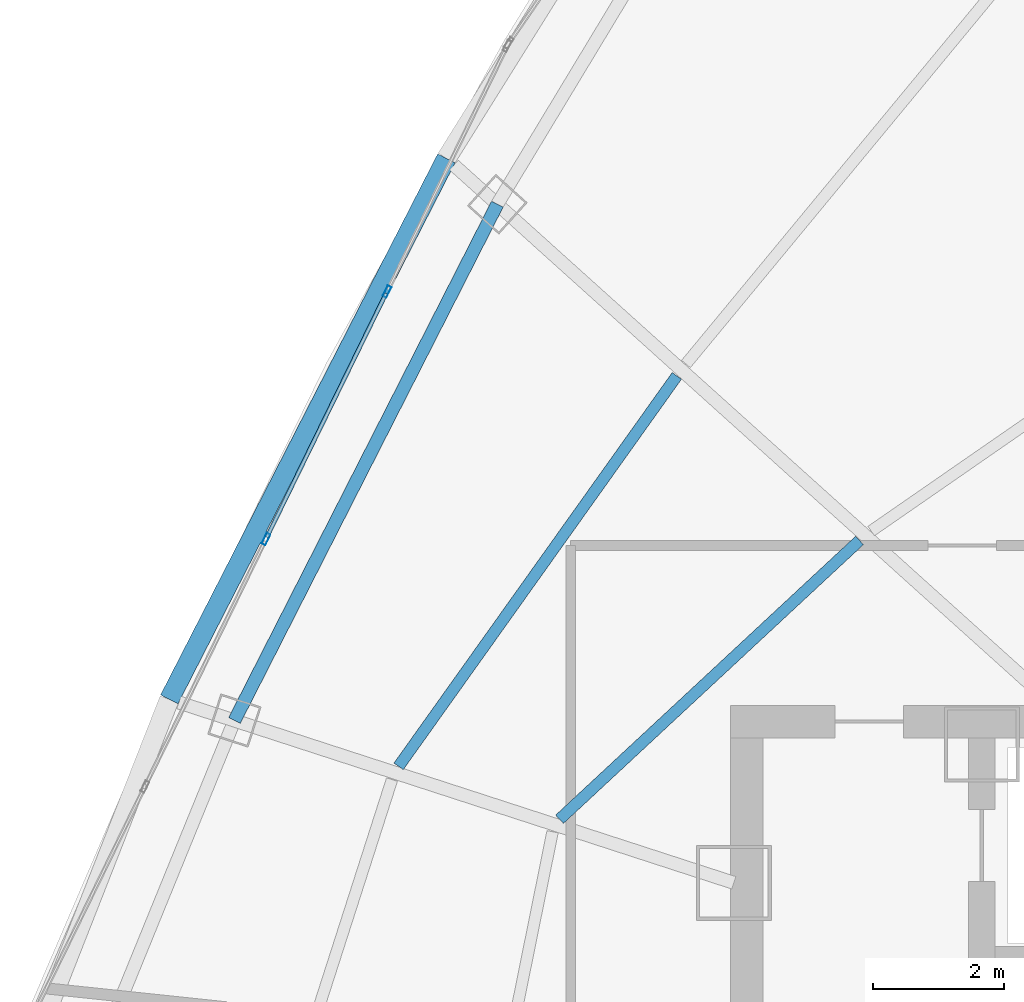
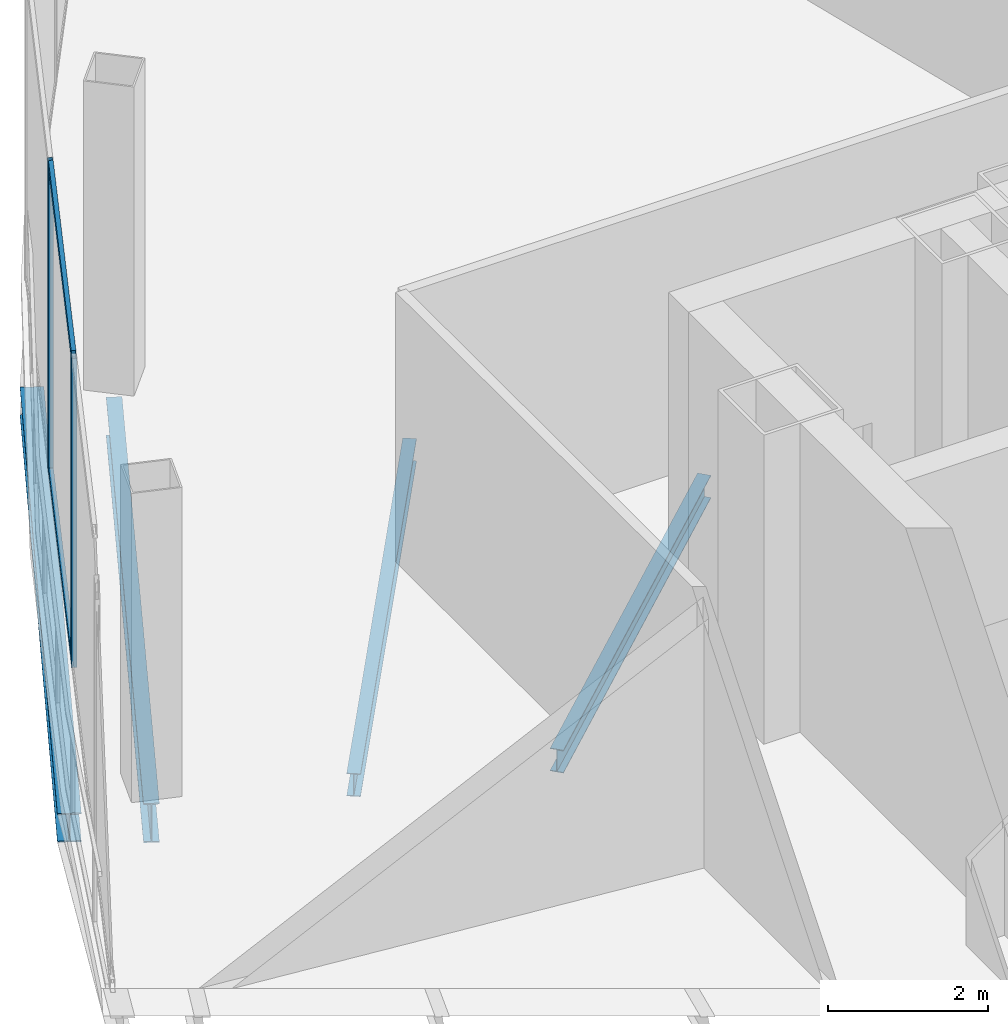
# One storey, part 10 of 32: 4 beams, 4 members, 1 element without a shape of its own.
"""IFC4 building model written with IfcOpenShell, lengths in metres."""

from ifc_helpers import new_model, si_unit, direction, frame, origin, origin_2d, place, context, subcontext, project, spatial, hollow_rectangle, i_section, extrude, source, transform, mapped, material, layer, layer_set, material_profile, profile_set, type_object, element, aggregate, save


model = new_model("IFC4")

# Units and contexts
model_context = context("Model", 3, precision=1e-05, world=origin(), true_north=direction((0.0, 1.0)))
body_context = subcontext(model_context, "Body", "Model", "MODEL_VIEW")
ifc_project = project(units=[si_unit("LENGTHUNIT", "METRE"), si_unit("AREAUNIT", "SQUARE_METRE"), si_unit("VOLUMEUNIT", "CUBIC_METRE"), si_unit("PLANEANGLEUNIT", "RADIAN"), si_unit("MASSUNIT", "GRAM", prefix="KILO"), si_unit("THERMODYNAMICTEMPERATUREUNIT", "KELVIN"), si_unit("POWERUNIT", "WATT")], contexts=[model_context])

# Site, building, storey
site_placement = place(None, origin())
site = spatial("IfcSite", under=ifc_project, at=site_placement, CompositionType="ELEMENT")
building_placement = place(site_placement, origin())
building = spatial("IfcBuilding", under=site, at=building_placement, Name="Yunzhuo Pagoda Commons", CompositionType="ELEMENT")
storey_placement = place(building_placement, frame((0.0, 0.0, 396.760009765625)))
storey = spatial("IfcBuildingStorey", under=building, at=storey_placement, Name="L98", CompositionType="ELEMENT", Elevation=396.760009765625)

# Beams
ifc_material_1 = material(Name="Structural steel Q355B", Category="steel")
ifc_material_profile_1 = material_profile(ifc_material_1, i_section(OverallWidth=0.199951171875, OverallDepth=0.60009765625, WebThickness=0.010986328125, FlangeThickness=0.01708984375, at=origin_2d()), Name="Structural steel Q355B")
ifc_profile_set_1 = profile_set([ifc_material_profile_1], Name="Structural steel Q355B")
beam_type_1 = type_object("IfcBeamType", Name="B-RG3 Beam HN 600x200x11x17", PredefinedType="BEAM", material=ifc_profile_set_1)
shared_shape_1 = source(origin(), body_context, "Body", "SweptSolid", [
    extrude(i_section(OverallWidth=0.199951171875, OverallDepth=0.60009765625, WebThickness=0.010986328125, FlangeThickness=0.01708984375, at=origin_2d()), origin(), (0.0, 0.0, 1.0), 8.87939453125),
])
beam_1_placement = place(storey_placement, frame((31.975341796875, 48.128662109375, -0.580078125), z_axis=(-0.453723535687, -0.891142498798, 0.0), x_axis=(0.891142498798, -0.453723535687, 0.0)))
element("IfcBeam", 1, at=beam_1_placement, inside=storey, type_object=beam_type_1, Name="L98 column-ring beam 10", PredefinedType="BEAM", context=body_context, shape_type="MappedRepresentation", body=[
    mapped(shared_shape_1, transform((0.0, 0.0, 0.0), scale=1.0)),
])
ifc_material_profile_2 = material_profile(ifc_material_1, i_section(OverallWidth=0.175048828125, OverallDepth=0.35009765625, WebThickness=0.007080078125, FlangeThickness=0.010986328125, at=origin_2d()), Name="Structural steel Q355B")
ifc_profile_set_2 = profile_set([ifc_material_profile_2], Name="Structural steel Q355B")
beam_type_2 = type_object("IfcBeamType", Name="B-JS2 Joist HN 350x175x7x11", PredefinedType="JOIST", material=ifc_profile_set_2)
shared_shape_2 = source(origin(), body_context, "Body", "SweptSolid", [
    extrude(i_section(OverallWidth=0.175048828125, OverallDepth=0.35009765625, WebThickness=0.007080078125, FlangeThickness=0.010986328125, at=origin_2d()), origin(), (0.0, 0.0, 1.0), 6.277099609375),
])
beam_2_placement = place(storey_placement, frame((37.526611328125, 42.97607421875, -0.455078125), z_axis=(-0.73244154109, -0.68082992655, 0.0), x_axis=(0.68082992655, -0.73244154109, 0.0)))
element("IfcBeam", 2, at=beam_2_placement, inside=storey, type_object=beam_type_2, Name="L98 composite ring joist 1.10", PredefinedType="JOIST", context=body_context, shape_type="MappedRepresentation", body=[
    mapped(shared_shape_2, transform((0.0, 0.0, 0.0), scale=1.0)),
])
shared_shape_3 = source(origin(), body_context, "Body", "SweptSolid", [
    extrude(i_section(OverallWidth=0.175048828125, OverallDepth=0.35009765625, WebThickness=0.007080078125, FlangeThickness=0.010986328125, at=origin_2d()), origin(), (0.0, 0.0, 1.0), 7.347900390625),
])
beam_3_placement = place(storey_placement, frame((34.726318359375, 45.497802734375, -0.455078125), z_axis=(-0.580294898948, -0.814406428177, 0.0), x_axis=(0.814406428177, -0.580294898948, 0.0)))
element("IfcBeam", 3, at=beam_3_placement, inside=storey, type_object=beam_type_2, Name="L98 composite ring joist 2.10", PredefinedType="JOIST", context=body_context, shape_type="MappedRepresentation", body=[
    mapped(shared_shape_3, transform((0.0, 0.0, 0.0), scale=1.0)),
])
ifc_material_profile_3 = material_profile(ifc_material_1, i_section(OverallWidth=0.300048828125, OverallDepth=0.43994140625, WebThickness=0.010986328125, FlangeThickness=0.01806640625, at=origin_2d()), Name="Structural steel Q355B")
ifc_profile_set_3 = profile_set([ifc_material_profile_3], Name="Structural steel Q355B")
beam_type_3 = type_object("IfcBeamType", Name="B-SP2 Beam HM 440x300x11x18", PredefinedType="BEAM", material=ifc_profile_set_3)
shared_shape_4 = source(origin(), body_context, "Body", "SweptSolid", [
    extrude(i_section(OverallWidth=0.300048828125, OverallDepth=0.43994140625, WebThickness=0.010986328125, FlangeThickness=0.01806640625, at=origin_2d()), origin(), (0.0, 0.0, 1.0), 9.3154296875),
])
beam_4_placement = place(storey_placement, frame((31.195068359375, 48.831298828125, -0.5), z_axis=(-0.455914353887, -0.89002365245, 0.0), x_axis=(0.89002365245, -0.455914353887, 0.0)))
element("IfcBeam", 4, at=beam_4_placement, inside=storey, type_object=beam_type_3, Name="L98 facade edge spandrel beam F3.2", PredefinedType="BEAM", context=body_context, shape_type="MappedRepresentation", body=[
    mapped(shared_shape_4, transform((0.0, 0.0, 0.0), scale=1.0)),
])

# Curtain wall, members
ifc_material_2 = material(Name="Anodized aluminium 6063-T6", Category="aluminium")
ifc_layer = layer(ifc_material_2, 0.179931640625)
ifc_layer_set = layer_set([ifc_layer], Name="Anodized aluminium 6063-T6")
curtain_wall_type = type_object("IfcCurtainWallType", Name="CW-CRN Crown Gable Glazing System", PredefinedType="NOTDEFINED", material=ifc_layer_set)
curtain_wall_placement = place(storey_placement, origin())
curtain_wall = element("IfcCurtainWall", 5, at=curtain_wall_placement, inside=storey, type_object=curtain_wall_type, Name="L98 curtain wall CW-L98-CRNF3G2", PredefinedType="NOTDEFINED")
ifc_material_profile_4 = material_profile(ifc_material_2, hollow_rectangle(XDim=0.06494140625, YDim=0.179931640625, WallThickness=0.00390625, at=origin_2d()), Name="Anodized aluminium 6063-T6")
ifc_profile_set_4 = profile_set([ifc_material_profile_4], Name="Anodized aluminium 6063-T6")
member_type_1 = type_object("IfcMemberType", Name="CW-CRN-M Mullion RHS 180x65x4", PredefinedType="MULLION", material=ifc_profile_set_4)
shared_shape_5 = source(origin(), body_context, "Body", "SweptSolid", [
    extrude(hollow_rectangle(XDim=0.06494140625, YDim=0.179931640625, WallThickness=0.00390625, at=origin_2d()), origin(), (0.0, 0.0, 1.0), 4.72021484375),
])
member_1_placement = place(storey_placement, frame((30.28515625, 46.789306640625, 0.0), z_axis=(0.0, 0.0, 1.0), x_axis=(0.898299261226, -0.439384156839, 0.0)))
member_1 = element("IfcMember", 6, at=member_1_placement, type_object=member_type_1, Name="CW mullion 2", PredefinedType="MULLION", context=body_context, shape_type="MappedRepresentation", body=[
    mapped(shared_shape_5, transform((0.0, 0.0, 0.0), scale=1.0)),
])
member_2_placement = place(storey_placement, frame((28.429931640625, 42.995849609375, 0.0), z_axis=(0.0, 0.0, 1.0), x_axis=(0.898299261226, -0.439384156839, 0.0)))
member_2 = element("IfcMember", 7, at=member_2_placement, type_object=member_type_1, Name="CW mullion 3", PredefinedType="MULLION", context=body_context, shape_type="MappedRepresentation", body=[
    mapped(shared_shape_5, transform((0.0, 0.0, 0.0), scale=1.0)),
])
ifc_material_profile_5 = material_profile(ifc_material_2, hollow_rectangle(XDim=0.06005859375, YDim=0.139892578125, WallThickness=0.00341796875, at=origin_2d()), Name="Anodized aluminium 6063-T6")
ifc_profile_set_5 = profile_set([ifc_material_profile_5], Name="Anodized aluminium 6063-T6")
member_type_2 = type_object("IfcMemberType", Name="CW-CRN-T Transom RHS 140x60x3.5", PredefinedType="USERDEFINED", material=ifc_profile_set_5)
shared_shape_6 = source(origin(), body_context, "Body", "SweptSolid", [
    extrude(hollow_rectangle(XDim=0.06005859375, YDim=0.139892578125, WallThickness=0.00341796875, at=origin_2d()), origin(), (0.0, 0.0, 1.0), 4.157470703125),
])
member_3_placement = place(storey_placement, frame((30.270751953125, 46.760009765625, 0.030029296875), z_axis=(-0.439421816361, -0.898280839886, 0.0), x_axis=(0.898280839886, -0.439421816361, 0.0)))
member_3 = element("IfcMember", 8, at=member_3_placement, type_object=member_type_2, Name="CW transom 2.1", ObjectType="TRANSOM", PredefinedType="USERDEFINED", context=body_context, shape_type="MappedRepresentation", body=[
    mapped(shared_shape_6, transform((0.0, 0.0, 0.0), scale=1.0)),
])
member_4_placement = place(storey_placement, frame((30.270751953125, 46.760009765625, 4.68994140625), z_axis=(-0.439421816361, -0.898280839886, 0.0), x_axis=(0.898280839886, -0.439421816361, 0.0)))
member_4 = element("IfcMember", 9, at=member_4_placement, type_object=member_type_2, Name="CW transom 2.2", ObjectType="TRANSOM", PredefinedType="USERDEFINED", context=body_context, shape_type="MappedRepresentation", body=[
    mapped(shared_shape_6, transform((0.0, 0.0, 0.0), scale=1.0)),
])
aggregate(curtain_wall, [member_1, member_2, member_3, member_4])

save(model, "model.ifc")
